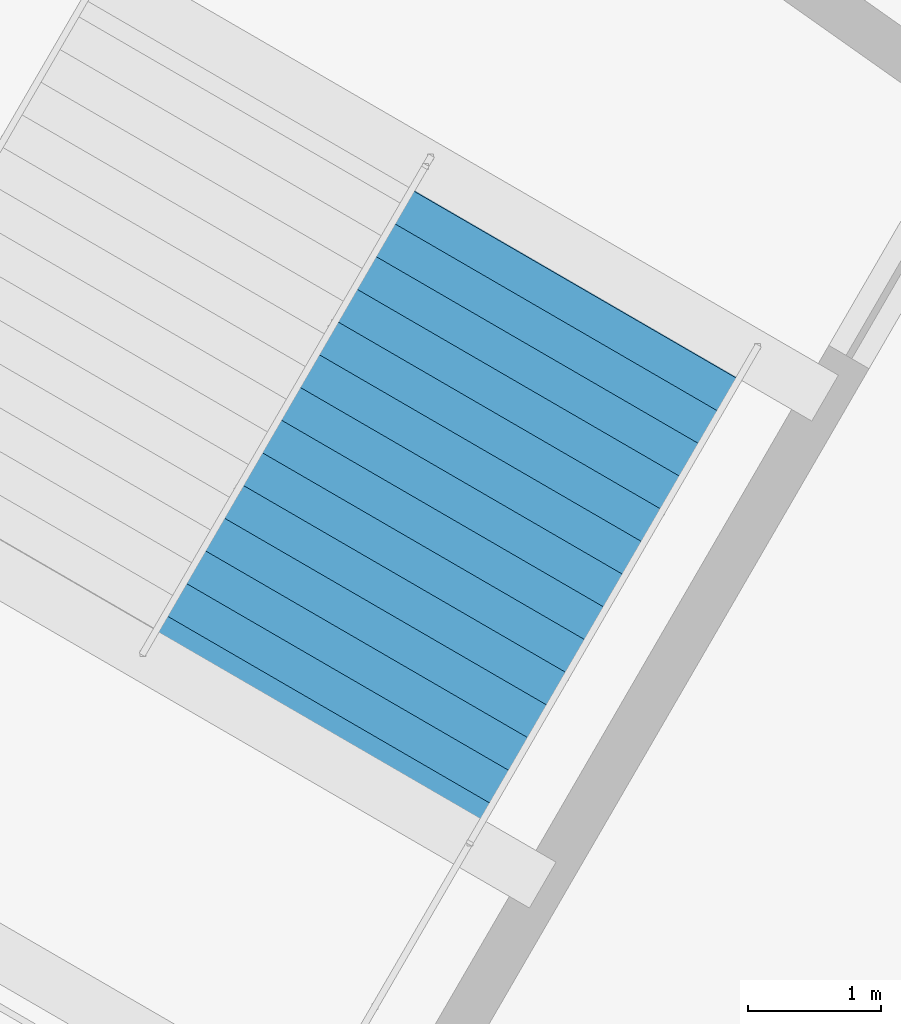
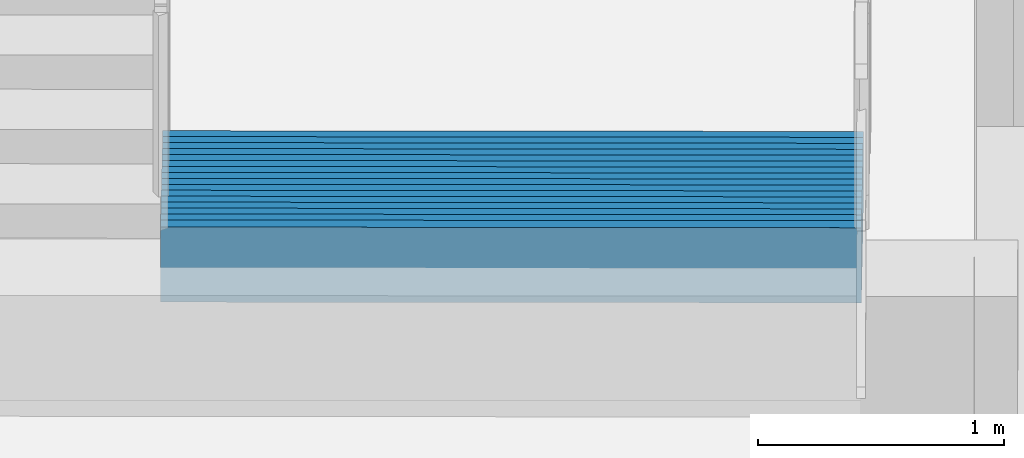
# One storey, part 33 of 49: 1 stair flight, 1 element without a shape of its own.
"""IFC4 building model written with IfcOpenShell, lengths in metres."""

from ifc_helpers import new_model, si_unit, direction, frame, origin, place, context, subcontext, project, spatial, polygons, material, type_object, element, aggregate, save


model = new_model("IFC4")

# Units and contexts
model_context = context("Model", 3, precision=1e-05, world=origin(), true_north=direction((0.0, 1.0)))
body_context = subcontext(model_context, "Body", "Model", "MODEL_VIEW")
ifc_project = project(units=[si_unit("LENGTHUNIT", "METRE"), si_unit("AREAUNIT", "SQUARE_METRE"), si_unit("VOLUMEUNIT", "CUBIC_METRE"), si_unit("PLANEANGLEUNIT", "RADIAN"), si_unit("MASSUNIT", "GRAM", prefix="KILO")], contexts=[model_context])

# Site, building, storey
site_placement = place(None, origin())
site = spatial("IfcSite", under=ifc_project, at=site_placement, CompositionType="ELEMENT")
building_placement = place(site_placement, origin())
building = spatial("IfcBuilding", under=site, at=building_placement, Name="Kazemori Nagisa Stadium", CompositionType="ELEMENT")
storey_placement = place(building_placement, frame((0.0, 0.0, -5.43994140625)))
storey = spatial("IfcBuildingStorey", under=building, at=storey_placement, Name="B1", CompositionType="ELEMENT", Elevation=-5.43994140625)

# Stair, stair flight
ifc_material = material(Name="Concrete C36/45 (Fc36)", Category="concrete")
stair_type = type_object("IfcStairType", Name="Stair_CORE_32", PredefinedType="TWO_STRAIGHT_RUN_STAIR", material=ifc_material)
stair_placement = place(storey_placement, origin())
stair = element("IfcStair", 1, at=stair_placement, inside=storey, type_object=stair_type, Name="Exit stair ST08 B1", PredefinedType="TWO_STRAIGHT_RUN_STAIR")
stair_flight_type = type_object("IfcStairFlightType", Name="Flight_CORE_16", PredefinedType="STRAIGHT", material=ifc_material)
stair_flight_placement = place(storey_placement, frame((49.54345703125, 150.724609375, 0.0), z_axis=(0.0, 0.0, 1.0), x_axis=(-0.501596719773, -0.865101572483, 0.0)))
stair_flight = element("IfcStairFlight", 2, at=stair_flight_placement, type_object=stair_flight_type, Name="Exit stair ST08 B1 flight 1", NumberOfRisers=16, NumberOfTreads=15, PredefinedType="STRAIGHT", RiserHeight=0.17, TreadLength=0.285, context=body_context, shape_type="Tessellation", body=[
    polygons([(0.0, -1.425048828125, 0.0), (0.0, -1.425048828125, 0.169921875), (0.284912109375, -1.425048828125, 0.169921875), (0.284912109375, -1.425048828125, 0.340087890625), (0.570068359375, -1.425048828125, 0.340087890625), (0.570068359375, -1.425048828125, 0.510009765625), (0.85498046875, -1.425048828125, 0.510009765625), (0.85498046875, -1.425048828125, 0.679931640625), (1.139892578125, -1.425048828125, 0.679931640625), (1.139892578125, -1.425048828125, 0.85009765625), (1.425048828125, -1.425048828125, 0.85009765625), (1.425048828125, -1.425048828125, 1.02001953125), (1.7099609375, -1.425048828125, 1.02001953125), (1.7099609375, -1.425048828125, 1.18994140625), (1.9951171875, -1.425048828125, 1.18994140625), (1.9951171875, -1.425048828125, 1.360107421875), (2.280029296875, -1.425048828125, 1.360107421875), (2.280029296875, -1.425048828125, 1.530029296875), (2.56494140625, -1.425048828125, 1.530029296875), (2.56494140625, -1.425048828125, 1.699951171875), (2.85009765625, -1.425048828125, 1.699951171875), (2.85009765625, -1.425048828125, 1.8701171875), (3.135009765625, -1.425048828125, 1.8701171875), (3.135009765625, -1.425048828125, 2.0400390625), (3.419921875, -1.425048828125, 2.0400390625), (3.419921875, -1.425048828125, 2.2099609375), (3.705078125, -1.425048828125, 2.2099609375), (3.705078125, -1.425048828125, 2.3798828125), (3.989990234375, -1.425048828125, 2.3798828125), (3.989990234375, -1.425048828125, 2.550048828125), (4.27490234375, -1.425048828125, 2.550048828125), (4.27490234375, -1.425048828125, 2.719970703125), (4.324951171875, -1.425048828125, 2.719970703125), (4.324951171875, -1.425048828125, 2.346923828125), (4.27490234375, -1.425048828125, 2.317138671875), (3.989990234375, -1.425048828125, 2.147216796875), (3.705078125, -1.425048828125, 1.977294921875), (3.419921875, -1.425048828125, 1.80712890625), (3.135009765625, -1.425048828125, 1.63720703125), (2.85009765625, -1.425048828125, 1.46728515625), (2.56494140625, -1.425048828125, 1.297119140625), (2.280029296875, -1.425048828125, 1.127197265625), (1.9951171875, -1.425048828125, 0.957275390625), (1.7099609375, -1.425048828125, 0.787109375), (1.425048828125, -1.425048828125, 0.6171875), (1.139892578125, -1.425048828125, 0.447265625), (0.85498046875, -1.425048828125, 0.277099609375), (0.570068359375, -1.425048828125, 0.107177734375), (0.284912109375, -1.425048828125, 0.0), (0.0, -0.08544921875, 0.0), (0.0, -0.08544921875, 0.169921875), (0.284912109375, -0.08544921875, 0.169921875), (0.284912109375, -0.08544921875, 0.340087890625), (0.570068359375, -0.08544921875, 0.340087890625), (0.570068359375, -0.08544921875, 0.510009765625), (0.85498046875, -0.08544921875, 0.510009765625), (0.85498046875, -0.08544921875, 0.679931640625), (1.139892578125, -0.08544921875, 0.679931640625), (1.139892578125, -0.08544921875, 0.85009765625), (1.425048828125, -0.08544921875, 0.85009765625), (1.425048828125, -0.08544921875, 1.02001953125), (1.7099609375, -0.08544921875, 1.02001953125), (1.7099609375, -0.08544921875, 1.18994140625), (1.9951171875, -0.08544921875, 1.18994140625), (1.9951171875, -0.08544921875, 1.360107421875), (2.280029296875, -0.08544921875, 1.360107421875), (2.280029296875, -0.08544921875, 1.530029296875), (2.56494140625, -0.08544921875, 1.530029296875), (2.56494140625, -0.08544921875, 1.699951171875), (2.85009765625, -0.08544921875, 1.699951171875), (2.85009765625, -0.08544921875, 1.8701171875), (3.135009765625, -0.08544921875, 1.8701171875), (3.135009765625, -0.08544921875, 2.0400390625), (3.419921875, -0.08544921875, 2.0400390625), (3.419921875, -0.08544921875, 2.2099609375), (3.705078125, -0.08544921875, 2.2099609375), (3.705078125, -0.08544921875, 2.3798828125), (3.989990234375, -0.08544921875, 2.3798828125), (3.989990234375, -0.08544921875, 2.550048828125), (4.27490234375, -0.08544921875, 2.550048828125), (4.27490234375, -0.08544921875, 2.719970703125), (4.324951171875, -0.08544921875, 2.719970703125), (4.324951171875, -0.08544921875, 2.346923828125), (4.27490234375, -0.08544921875, 2.317138671875), (3.989990234375, -0.08544921875, 2.147216796875), (3.705078125, -0.08544921875, 1.977294921875), (3.419921875, -0.08544921875, 1.80712890625), (3.135009765625, -0.08544921875, 1.63720703125), (2.85009765625, -0.08544921875, 1.46728515625), (2.56494140625, -0.08544921875, 1.297119140625), (2.280029296875, -0.08544921875, 1.127197265625), (1.9951171875, -0.08544921875, 0.957275390625), (1.7099609375, -0.08544921875, 0.787109375), (1.425048828125, -0.08544921875, 0.6171875), (1.139892578125, -0.08544921875, 0.447265625), (0.85498046875, -0.08544921875, 0.277099609375), (0.570068359375, -0.08544921875, 0.107177734375), (0.284912109375, -0.08544921875, 0.0), (0.0, 0.0, 0.0), (0.0, 0.0, 0.169921875), (0.284912109375, 0.0, 0.169921875), (0.284912109375, 0.0, 0.340087890625), (0.570068359375, 0.0, 0.340087890625), (0.570068359375, 0.0, 0.510009765625), (0.85498046875, 0.0, 0.510009765625), (0.85498046875, 0.0, 0.679931640625), (1.139892578125, 0.0, 0.679931640625), (1.139892578125, 0.0, 0.85009765625), (1.425048828125, 0.0, 0.85009765625), (1.425048828125, 0.0, 1.02001953125), (1.7099609375, 0.0, 1.02001953125), (1.7099609375, 0.0, 1.18994140625), (1.9951171875, 0.0, 1.18994140625), (1.9951171875, 0.0, 1.360107421875), (2.280029296875, 0.0, 1.360107421875), (2.280029296875, 0.0, 1.530029296875), (2.56494140625, 0.0, 1.530029296875), (2.56494140625, 0.0, 1.699951171875), (2.85009765625, 0.0, 1.699951171875), (2.85009765625, 0.0, 1.8701171875), (3.135009765625, 0.0, 1.8701171875), (3.135009765625, 0.0, 2.0400390625), (3.419921875, 0.0, 2.0400390625), (3.419921875, 0.0, 2.2099609375), (3.705078125, 0.0, 2.2099609375), (3.705078125, 0.0, 2.3798828125), (3.989990234375, 0.0, 2.3798828125), (3.989990234375, 0.0, 2.550048828125), (4.27490234375, 0.0, 2.550048828125), (4.27490234375, 0.0, 2.719970703125), (4.324951171875, 0.0, 2.719970703125), (4.324951171875, 0.0, 2.346923828125), (4.27490234375, 0.0, 2.317138671875), (3.989990234375, 0.0, 2.147216796875), (3.705078125, 0.0, 1.977294921875), (3.419921875, 0.0, 1.80712890625), (3.135009765625, 0.0, 1.63720703125), (2.85009765625, 0.0, 1.46728515625), (2.56494140625, 0.0, 1.297119140625), (2.280029296875, 0.0, 1.127197265625), (1.9951171875, 0.0, 0.957275390625), (1.7099609375, 0.0, 0.787109375), (1.425048828125, 0.0, 0.6171875), (1.139892578125, 0.0, 0.447265625), (0.85498046875, 0.0, 0.277099609375), (0.570068359375, 0.0, 0.107177734375), (0.284912109375, 0.0, 0.0), (0.0, 0.08544921875, 0.0), (0.0, 0.08544921875, 0.169921875), (0.284912109375, 0.08544921875, 0.169921875), (0.284912109375, 0.08544921875, 0.340087890625), (0.570068359375, 0.08544921875, 0.340087890625), (0.570068359375, 0.08544921875, 0.510009765625), (0.85498046875, 0.08544921875, 0.510009765625), (0.85498046875, 0.08544921875, 0.679931640625), (1.139892578125, 0.08544921875, 0.679931640625), (1.139892578125, 0.08544921875, 0.85009765625), (1.425048828125, 0.08544921875, 0.85009765625), (1.425048828125, 0.08544921875, 1.02001953125), (1.7099609375, 0.08544921875, 1.02001953125), (1.7099609375, 0.08544921875, 1.18994140625), (1.9951171875, 0.08544921875, 1.18994140625), (1.9951171875, 0.08544921875, 1.360107421875), (2.280029296875, 0.08544921875, 1.360107421875), (2.280029296875, 0.08544921875, 1.530029296875), (2.56494140625, 0.08544921875, 1.530029296875), (2.56494140625, 0.08544921875, 1.699951171875), (2.85009765625, 0.08544921875, 1.699951171875), (2.85009765625, 0.08544921875, 1.8701171875), (3.135009765625, 0.08544921875, 1.8701171875), (3.135009765625, 0.08544921875, 2.0400390625), (3.419921875, 0.08544921875, 2.0400390625), (3.419921875, 0.08544921875, 2.2099609375), (3.705078125, 0.08544921875, 2.2099609375), (3.705078125, 0.08544921875, 2.3798828125), (3.989990234375, 0.08544921875, 2.3798828125), (3.989990234375, 0.08544921875, 2.550048828125), (4.27490234375, 0.08544921875, 2.550048828125), (4.27490234375, 0.08544921875, 2.719970703125), (4.324951171875, 0.08544921875, 2.719970703125), (4.324951171875, 0.08544921875, 2.346923828125), (4.27490234375, 0.08544921875, 2.317138671875), (3.989990234375, 0.08544921875, 2.147216796875), (3.705078125, 0.08544921875, 1.977294921875), (3.419921875, 0.08544921875, 1.80712890625), (3.135009765625, 0.08544921875, 1.63720703125), (2.85009765625, 0.08544921875, 1.46728515625), (2.56494140625, 0.08544921875, 1.297119140625), (2.280029296875, 0.08544921875, 1.127197265625), (1.9951171875, 0.08544921875, 0.957275390625), (1.7099609375, 0.08544921875, 0.787109375), (1.425048828125, 0.08544921875, 0.6171875), (1.139892578125, 0.08544921875, 0.447265625), (0.85498046875, 0.08544921875, 0.277099609375), (0.570068359375, 0.08544921875, 0.107177734375), (0.284912109375, 0.08544921875, 0.0), (0.0, 1.425048828125, 0.0), (0.0, 1.425048828125, 0.169921875), (0.284912109375, 1.425048828125, 0.169921875), (0.284912109375, 1.425048828125, 0.340087890625), (0.570068359375, 1.425048828125, 0.340087890625), (0.570068359375, 1.425048828125, 0.510009765625), (0.85498046875, 1.425048828125, 0.510009765625), (0.85498046875, 1.425048828125, 0.679931640625), (1.139892578125, 1.425048828125, 0.679931640625), (1.139892578125, 1.425048828125, 0.85009765625), (1.425048828125, 1.425048828125, 0.85009765625), (1.425048828125, 1.425048828125, 1.02001953125), (1.7099609375, 1.425048828125, 1.02001953125), (1.7099609375, 1.425048828125, 1.18994140625), (1.9951171875, 1.425048828125, 1.18994140625), (1.9951171875, 1.425048828125, 1.360107421875), (2.280029296875, 1.425048828125, 1.360107421875), (2.280029296875, 1.425048828125, 1.530029296875), (2.56494140625, 1.425048828125, 1.530029296875), (2.56494140625, 1.425048828125, 1.699951171875), (2.85009765625, 1.425048828125, 1.699951171875), (2.85009765625, 1.425048828125, 1.8701171875), (3.135009765625, 1.425048828125, 1.8701171875), (3.135009765625, 1.425048828125, 2.0400390625), (3.419921875, 1.425048828125, 2.0400390625), (3.419921875, 1.425048828125, 2.2099609375), (3.705078125, 1.425048828125, 2.2099609375), (3.705078125, 1.425048828125, 2.3798828125), (3.989990234375, 1.425048828125, 2.3798828125), (3.989990234375, 1.425048828125, 2.550048828125), (4.27490234375, 1.425048828125, 2.550048828125), (4.27490234375, 1.425048828125, 2.719970703125), (4.324951171875, 1.425048828125, 2.719970703125), (4.324951171875, 1.425048828125, 2.346923828125), (4.27490234375, 1.425048828125, 2.317138671875), (3.989990234375, 1.425048828125, 2.147216796875), (3.705078125, 1.425048828125, 1.977294921875), (3.419921875, 1.425048828125, 1.80712890625), (3.135009765625, 1.425048828125, 1.63720703125), (2.85009765625, 1.425048828125, 1.46728515625), (2.56494140625, 1.425048828125, 1.297119140625), (2.280029296875, 1.425048828125, 1.127197265625), (1.9951171875, 1.425048828125, 0.957275390625), (1.7099609375, 1.425048828125, 0.787109375), (1.425048828125, 1.425048828125, 0.6171875), (1.139892578125, 1.425048828125, 0.447265625), (0.85498046875, 1.425048828125, 0.277099609375), (0.570068359375, 1.425048828125, 0.107177734375), (0.284912109375, 1.425048828125, 0.0)], [[[1, 2, 51]], [[1, 51, 50]], [[2, 3, 52]], [[2, 52, 51]], [[3, 4, 53]], [[3, 53, 52]], [[4, 5, 54]], [[4, 54, 53]], [[5, 6, 55]], [[5, 55, 54]], [[6, 7, 56]], [[6, 56, 55]], [[7, 8, 57]], [[7, 57, 56]], [[8, 9, 58]], [[8, 58, 57]], [[9, 10, 59]], [[9, 59, 58]], [[10, 11, 60]], [[10, 60, 59]], [[11, 12, 61]], [[11, 61, 60]], [[12, 13, 62]], [[12, 62, 61]], [[13, 14, 63]], [[13, 63, 62]], [[14, 15, 64]], [[14, 64, 63]], [[15, 16, 65]], [[15, 65, 64]], [[16, 17, 66]], [[16, 66, 65]], [[17, 18, 67]], [[17, 67, 66]], [[18, 19, 68]], [[18, 68, 67]], [[19, 20, 69]], [[19, 69, 68]], [[20, 21, 70]], [[20, 70, 69]], [[21, 22, 71]], [[21, 71, 70]], [[22, 23, 72]], [[22, 72, 71]], [[23, 24, 73]], [[23, 73, 72]], [[24, 25, 74]], [[24, 74, 73]], [[25, 26, 75]], [[25, 75, 74]], [[26, 27, 76]], [[26, 76, 75]], [[27, 28, 77]], [[27, 77, 76]], [[28, 29, 78]], [[28, 78, 77]], [[29, 30, 79]], [[29, 79, 78]], [[30, 31, 80]], [[30, 80, 79]], [[31, 32, 81]], [[31, 81, 80]], [[32, 33, 82]], [[32, 82, 81]], [[33, 34, 83]], [[33, 83, 82]], [[34, 35, 84]], [[34, 84, 83]], [[35, 36, 85]], [[35, 85, 84]], [[36, 37, 86]], [[36, 86, 85]], [[37, 38, 87]], [[37, 87, 86]], [[38, 39, 88]], [[38, 88, 87]], [[39, 40, 89]], [[39, 89, 88]], [[40, 41, 90]], [[40, 90, 89]], [[41, 42, 91]], [[41, 91, 90]], [[42, 43, 92]], [[42, 92, 91]], [[43, 44, 93]], [[43, 93, 92]], [[44, 45, 94]], [[44, 94, 93]], [[45, 46, 95]], [[45, 95, 94]], [[46, 47, 96]], [[46, 96, 95]], [[47, 48, 97]], [[47, 97, 96]], [[48, 49, 98]], [[48, 98, 97]], [[49, 1, 50]], [[49, 50, 98]], [[50, 51, 100]], [[50, 100, 99]], [[51, 52, 101]], [[51, 101, 100]], [[52, 53, 102]], [[52, 102, 101]], [[53, 54, 103]], [[53, 103, 102]], [[54, 55, 104]], [[54, 104, 103]], [[55, 56, 105]], [[55, 105, 104]], [[56, 57, 106]], [[56, 106, 105]], [[57, 58, 107]], [[57, 107, 106]], [[58, 59, 108]], [[58, 108, 107]], [[59, 60, 109]], [[59, 109, 108]], [[60, 61, 110]], [[60, 110, 109]], [[61, 62, 111]], [[61, 111, 110]], [[62, 63, 112]], [[62, 112, 111]], [[63, 64, 113]], [[63, 113, 112]], [[64, 65, 114]], [[64, 114, 113]], [[65, 66, 115]], [[65, 115, 114]], [[66, 67, 116]], [[66, 116, 115]], [[67, 68, 117]], [[67, 117, 116]], [[68, 69, 118]], [[68, 118, 117]], [[69, 70, 119]], [[69, 119, 118]], [[70, 71, 120]], [[70, 120, 119]], [[71, 72, 121]], [[71, 121, 120]], [[72, 73, 122]], [[72, 122, 121]], [[73, 74, 123]], [[73, 123, 122]], [[74, 75, 124]], [[74, 124, 123]], [[75, 76, 125]], [[75, 125, 124]], [[76, 77, 126]], [[76, 126, 125]], [[77, 78, 127]], [[77, 127, 126]], [[78, 79, 128]], [[78, 128, 127]], [[79, 80, 129]], [[79, 129, 128]], [[80, 81, 130]], [[80, 130, 129]], [[81, 82, 131]], [[81, 131, 130]], [[82, 83, 132]], [[82, 132, 131]], [[83, 84, 133]], [[83, 133, 132]], [[84, 85, 134]], [[84, 134, 133]], [[85, 86, 135]], [[85, 135, 134]], [[86, 87, 136]], [[86, 136, 135]], [[87, 88, 137]], [[87, 137, 136]], [[88, 89, 138]], [[88, 138, 137]], [[89, 90, 139]], [[89, 139, 138]], [[90, 91, 140]], [[90, 140, 139]], [[91, 92, 141]], [[91, 141, 140]], [[92, 93, 142]], [[92, 142, 141]], [[93, 94, 143]], [[93, 143, 142]], [[94, 95, 144]], [[94, 144, 143]], [[95, 96, 145]], [[95, 145, 144]], [[96, 97, 146]], [[96, 146, 145]], [[97, 98, 147]], [[97, 147, 146]], [[98, 50, 99]], [[98, 99, 147]], [[99, 100, 149]], [[99, 149, 148]], [[100, 101, 150]], [[100, 150, 149]], [[101, 102, 151]], [[101, 151, 150]], [[102, 103, 152]], [[102, 152, 151]], [[103, 104, 153]], [[103, 153, 152]], [[104, 105, 154]], [[104, 154, 153]], [[105, 106, 155]], [[105, 155, 154]], [[106, 107, 156]], [[106, 156, 155]], [[107, 108, 157]], [[107, 157, 156]], [[108, 109, 158]], [[108, 158, 157]], [[109, 110, 159]], [[109, 159, 158]], [[110, 111, 160]], [[110, 160, 159]], [[111, 112, 161]], [[111, 161, 160]], [[112, 113, 162]], [[112, 162, 161]], [[113, 114, 163]], [[113, 163, 162]], [[114, 115, 164]], [[114, 164, 163]], [[115, 116, 165]], [[115, 165, 164]], [[116, 117, 166]], [[116, 166, 165]], [[117, 118, 167]], [[117, 167, 166]], [[118, 119, 168]], [[118, 168, 167]], [[119, 120, 169]], [[119, 169, 168]], [[120, 121, 170]], [[120, 170, 169]], [[121, 122, 171]], [[121, 171, 170]], [[122, 123, 172]], [[122, 172, 171]], [[123, 124, 173]], [[123, 173, 172]], [[124, 125, 174]], [[124, 174, 173]], [[125, 126, 175]], [[125, 175, 174]], [[126, 127, 176]], [[126, 176, 175]], [[127, 128, 177]], [[127, 177, 176]], [[128, 129, 178]], [[128, 178, 177]], [[129, 130, 179]], [[129, 179, 178]], [[130, 131, 180]], [[130, 180, 179]], [[131, 132, 181]], [[131, 181, 180]], [[132, 133, 182]], [[132, 182, 181]], [[133, 134, 183]], [[133, 183, 182]], [[134, 135, 184]], [[134, 184, 183]], [[135, 136, 185]], [[135, 185, 184]], [[136, 137, 186]], [[136, 186, 185]], [[137, 138, 187]], [[137, 187, 186]], [[138, 139, 188]], [[138, 188, 187]], [[139, 140, 189]], [[139, 189, 188]], [[140, 141, 190]], [[140, 190, 189]], [[141, 142, 191]], [[141, 191, 190]], [[142, 143, 192]], [[142, 192, 191]], [[143, 144, 193]], [[143, 193, 192]], [[144, 145, 194]], [[144, 194, 193]], [[145, 146, 195]], [[145, 195, 194]], [[146, 147, 196]], [[146, 196, 195]], [[147, 99, 148]], [[147, 148, 196]], [[148, 149, 198]], [[148, 198, 197]], [[149, 150, 199]], [[149, 199, 198]], [[150, 151, 200]], [[150, 200, 199]], [[151, 152, 201]], [[151, 201, 200]], [[152, 153, 202]], [[152, 202, 201]], [[153, 154, 203]], [[153, 203, 202]], [[154, 155, 204]], [[154, 204, 203]], [[155, 156, 205]], [[155, 205, 204]], [[156, 157, 206]], [[156, 206, 205]], [[157, 158, 207]], [[157, 207, 206]], [[158, 159, 208]], [[158, 208, 207]], [[159, 160, 209]], [[159, 209, 208]], [[160, 161, 210]], [[160, 210, 209]], [[161, 162, 211]], [[161, 211, 210]], [[162, 163, 212]], [[162, 212, 211]], [[163, 164, 213]], [[163, 213, 212]], [[164, 165, 214]], [[164, 214, 213]], [[165, 166, 215]], [[165, 215, 214]], [[166, 167, 216]], [[166, 216, 215]], [[167, 168, 217]], [[167, 217, 216]], [[168, 169, 218]], [[168, 218, 217]], [[169, 170, 219]], [[169, 219, 218]], [[170, 171, 220]], [[170, 220, 219]], [[171, 172, 221]], [[171, 221, 220]], [[172, 173, 222]], [[172, 222, 221]], [[173, 174, 223]], [[173, 223, 222]], [[174, 175, 224]], [[174, 224, 223]], [[175, 176, 225]], [[175, 225, 224]], [[176, 177, 226]], [[176, 226, 225]], [[177, 178, 227]], [[177, 227, 226]], [[178, 179, 228]], [[178, 228, 227]], [[179, 180, 229]], [[179, 229, 228]], [[180, 181, 230]], [[180, 230, 229]], [[181, 182, 231]], [[181, 231, 230]], [[182, 183, 232]], [[182, 232, 231]], [[183, 184, 233]], [[183, 233, 232]], [[184, 185, 234]], [[184, 234, 233]], [[185, 186, 235]], [[185, 235, 234]], [[186, 187, 236]], [[186, 236, 235]], [[187, 188, 237]], [[187, 237, 236]], [[188, 189, 238]], [[188, 238, 237]], [[189, 190, 239]], [[189, 239, 238]], [[190, 191, 240]], [[190, 240, 239]], [[191, 192, 241]], [[191, 241, 240]], [[192, 193, 242]], [[192, 242, 241]], [[193, 194, 243]], [[193, 243, 242]], [[194, 195, 244]], [[194, 244, 243]], [[195, 196, 245]], [[195, 245, 244]], [[196, 148, 197]], [[196, 197, 245]], [[3, 2, 1]], [[197, 198, 199]], [[49, 3, 1]], [[197, 199, 245]], [[48, 3, 49]], [[245, 199, 244]], [[5, 3, 48]], [[244, 199, 201]], [[5, 4, 3]], [[199, 200, 201]], [[47, 5, 48]], [[244, 201, 243]], [[7, 5, 47]], [[243, 201, 203]], [[7, 6, 5]], [[201, 202, 203]], [[46, 7, 47]], [[243, 203, 242]], [[9, 7, 46]], [[242, 203, 205]], [[9, 8, 7]], [[203, 204, 205]], [[45, 9, 46]], [[242, 205, 241]], [[11, 9, 45]], [[241, 205, 207]], [[11, 10, 9]], [[205, 206, 207]], [[44, 11, 45]], [[241, 207, 240]], [[13, 11, 44]], [[240, 207, 209]], [[13, 12, 11]], [[207, 208, 209]], [[43, 13, 44]], [[240, 209, 239]], [[15, 13, 43]], [[239, 209, 211]], [[15, 14, 13]], [[209, 210, 211]], [[42, 15, 43]], [[239, 211, 238]], [[17, 15, 42]], [[238, 211, 213]], [[17, 16, 15]], [[211, 212, 213]], [[41, 17, 42]], [[238, 213, 237]], [[19, 17, 41]], [[237, 213, 215]], [[19, 18, 17]], [[213, 214, 215]], [[40, 19, 41]], [[237, 215, 236]], [[21, 19, 40]], [[236, 215, 217]], [[21, 20, 19]], [[215, 216, 217]], [[39, 21, 40]], [[236, 217, 235]], [[23, 21, 39]], [[235, 217, 219]], [[23, 22, 21]], [[217, 218, 219]], [[38, 23, 39]], [[235, 219, 234]], [[25, 23, 38]], [[234, 219, 221]], [[25, 24, 23]], [[219, 220, 221]], [[37, 25, 38]], [[234, 221, 233]], [[27, 25, 37]], [[233, 221, 223]], [[27, 26, 25]], [[221, 222, 223]], [[36, 27, 37]], [[233, 223, 232]], [[29, 27, 36]], [[232, 223, 225]], [[29, 28, 27]], [[223, 224, 225]], [[35, 29, 36]], [[232, 225, 231]], [[31, 29, 35]], [[231, 225, 227]], [[31, 30, 29]], [[225, 226, 227]], [[34, 31, 35]], [[231, 227, 230]], [[33, 31, 34]], [[230, 227, 229]], [[33, 32, 31]], [[227, 228, 229]]], closed=True),
])
aggregate(stair, [stair_flight])

save(model, "model.ifc")
